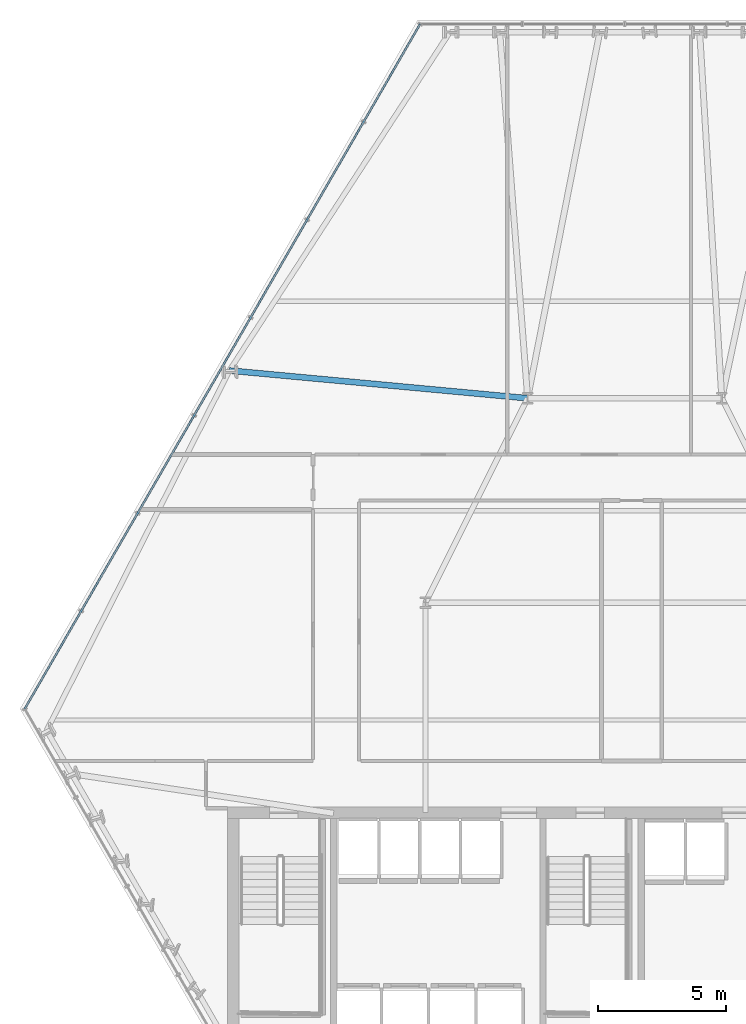
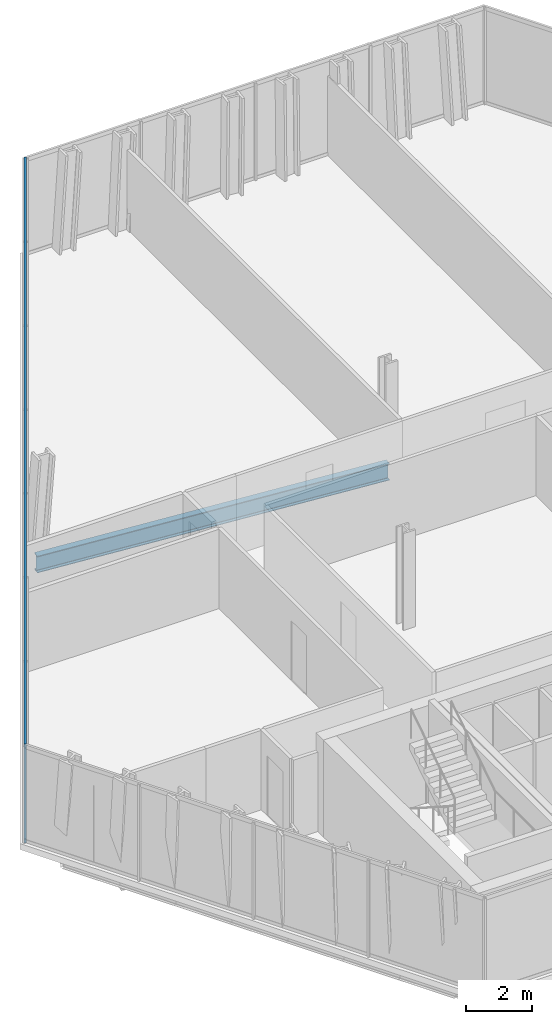
# One storey, part 11 of 32: 2 members, 1 beam, 1 element without a shape of its own.
"""IFC4 building model written with IfcOpenShell, lengths in metres."""

import ifcopenshell
import ifcopenshell.guid

model = None  # the IFC model being written
_history = None  # IfcOwnerHistory: only IFC2X3 demands one
_inside = {}  # id of a spatial element -> (the spatial element, [elements in it])
_under = {}  # id of a project, library or spatial element -> (it, [spatial elements below it])
_declared = {}  # id of a project -> (the project, [libraries it declares])
_typed = {}  # id of a type object -> (the type object, [elements of that type])
_made_of = {}  # id of a material, layer set ... -> (it, [elements and type objects made of it])


def new_model(schema):
    """Start an empty IFC model of exactly this schema.

    Asked for "IFC4X3", IfcOpenShell would pick the latest addendum, in which some entities
    have other attributes; the version numbers below select the first issue.
    IFC2X3 requires an IfcOwnerHistory on every rooted entity: one is made here for all.
    """
    global model, _history
    if schema == "IFC4X3":
        model = ifcopenshell.file(schema_version=(4, 3, 0, 0))
    else:
        model = ifcopenshell.file(schema=schema)
    _inside.clear()
    _under.clear()
    _declared.clear()
    _typed.clear()
    _made_of.clear()
    _history = None
    if model.schema == "IFC2X3":
        org = make("IfcOrganization", Name="unknown")
        user = make(
            "IfcPersonAndOrganization",
            ThePerson=make("IfcPerson", FamilyName="unknown"),
            TheOrganization=org,
        )
        app = make(
            "IfcApplication",
            ApplicationDeveloper=org,
            Version="unknown",
            ApplicationFullName="unknown",
            ApplicationIdentifier="unknown",
        )
        _history = make(
            "IfcOwnerHistory",
            OwningUser=user,
            OwningApplication=app,
            ChangeAction="ADDED",
            CreationDate=0,
        )
    return model


def make(cls, **values):
    """One entity of the class cls with the attributes given. An attribute that is None is left unset."""
    return model.create_entity(
        cls, **{name: value for name, value in values.items() if value is not None}
    )


def rooted(cls, **values):
    """An entity with a GlobalId (a new one), such as an element, a storey or a relation."""
    return make(cls, GlobalId=ifcopenshell.guid.new(), OwnerHistory=_history, **values)


def si_unit(unit_type, name, prefix=None):
    """IfcSIUnit, for example si_unit("LENGTHUNIT", "METRE", prefix="MILLI")."""
    return make("IfcSIUnit", UnitType=unit_type, Prefix=prefix, Name=name)


def assignment(units):
    """IfcUnitAssignment: the units of a project."""
    return None if units is None else make("IfcUnitAssignment", Units=units)


def point(xyz):
    """IfcCartesianPoint."""
    return None if xyz is None else make("IfcCartesianPoint", Coordinates=xyz)


def direction(xyz):
    """IfcDirection."""
    return None if xyz is None else make("IfcDirection", DirectionRatios=xyz)


def frame(location, z_axis=None, x_axis=None):
    """IfcAxis2Placement3D, a coordinate frame: its origin and axes. An axis left out is left unset."""
    return make(
        "IfcAxis2Placement3D",
        Location=point(location),
        Axis=direction(z_axis),
        RefDirection=direction(x_axis),
    )


def frame_2d(location, x_axis=None):
    """IfcAxis2Placement2D, a coordinate frame in the plane: its origin and x axis."""
    return make(
        "IfcAxis2Placement2D", Location=point(location), RefDirection=direction(x_axis)
    )


def origin():
    """The frame at (0, 0, 0) with its axes left unset."""
    return frame((0.0, 0.0, 0.0))


def origin_2d():
    """The frame at (0, 0) in the plane with its x axis left unset."""
    return frame_2d((0.0, 0.0))


def place(relative_to, where):
    """IfcLocalPlacement: puts the frame where relative to a parent placement (None: the world)."""
    return make(
        "IfcLocalPlacement", PlacementRelTo=relative_to, RelativePlacement=where
    )


def context(
    kind, dimensions, precision=None, world=None, true_north=None, identifier=None
):
    """IfcGeometricRepresentationContext, for example the 3D "Model" context."""
    return make(
        "IfcGeometricRepresentationContext",
        ContextIdentifier=identifier,
        ContextType=kind,
        CoordinateSpaceDimension=dimensions,
        Precision=precision,
        WorldCoordinateSystem=world,
        TrueNorth=true_north,
    )


def subcontext(parent, identifier, kind, view, scale=None):
    """IfcGeometricRepresentationSubContext, for example "Body" below "Model"."""
    return make(
        "IfcGeometricRepresentationSubContext",
        ContextIdentifier=identifier,
        ContextType=kind,
        ParentContext=parent,
        TargetScale=scale,
        TargetView=view,
    )


def project(units=None, contexts=None):
    """IfcProject with its units and contexts."""
    return rooted(
        "IfcProject",
        Name="project",
        RepresentationContexts=contexts,
        UnitsInContext=assignment(units),
    )


def spatial(cls, under=None, at=None, **own):
    """A site, building, storey or space (cls), placed at a placement, below another one or the project."""
    s = rooted(cls, ObjectPlacement=at, **own)
    if under is not None:
        _under.setdefault(under.id(), (under, []))[1].append(s)
    return s


def profile(cls, at=None, kind="AREA", **sizes):
    """A parametric profile (cls). Its sizes go by their IFC names, for example OverallWidth=200.0."""
    return make(cls, ProfileType=kind, Position=at, **sizes)


def hollow_rectangle(**sizes):
    """IfcRectangleHollowProfileDef."""
    return profile("IfcRectangleHollowProfileDef", **sizes)


def i_section(**sizes):
    """IfcIShapeProfileDef."""
    return profile("IfcIShapeProfileDef", **sizes)


def extrude(swept, where, along, depth):
    """IfcExtrudedAreaSolid: the profile swept, set in the frame where, extruded along a direction by depth."""
    return make(
        "IfcExtrudedAreaSolid",
        SweptArea=swept,
        Position=where,
        ExtrudedDirection=direction(along),
        Depth=depth,
    )


def shape(context_of_items, identifier, shape_type, items):
    """IfcShapeRepresentation: the items that make up one representation, for example the "Body"."""
    return make(
        "IfcShapeRepresentation",
        ContextOfItems=context_of_items,
        RepresentationIdentifier=identifier,
        RepresentationType=shape_type,
        Items=items,
    )


def material(Name=None, Category=None):
    """IfcMaterial."""
    return make("IfcMaterial", Name=Name, Category=Category)


def layer(
    of_material, thickness, ventilated=None, Name=None, Category=None, Priority=None
):
    """IfcMaterialLayer: one layer of a wall or slab, of a material (None: an air gap)."""
    return make(
        "IfcMaterialLayer",
        Material=of_material,
        LayerThickness=thickness,
        IsVentilated=ventilated,
        Name=Name,
        Category=Category,
        Priority=Priority,
    )


def layer_set(layers, Name=None):
    """IfcMaterialLayerSet."""
    return make("IfcMaterialLayerSet", MaterialLayers=layers, LayerSetName=Name)


def material_profile(
    of_material, cross_section, Name=None, Category=None, Priority=None
):
    """IfcMaterialProfile: a cross section and its material."""
    return make(
        "IfcMaterialProfile",
        Name=Name,
        Material=of_material,
        Profile=cross_section,
        Priority=Priority,
        Category=Category,
    )


def profile_set(profiles, Name=None, composite=None):
    """IfcMaterialProfileSet."""
    return make(
        "IfcMaterialProfileSet",
        Name=Name,
        MaterialProfiles=profiles,
        CompositeProfile=composite,
    )


def made_of(thing, what):
    """Note that an element or type object is made of a material, layer set ...; save() writes the relation."""
    if what is not None:
        _made_of.setdefault(what.id(), (what, []))[1].append(thing)
    return thing


def type_object(cls, material=None, **own):
    """A type object (cls), such as IfcWallType, which elements share."""
    return made_of(rooted(cls, **own), material)


def element(
    cls,
    number,
    at=None,
    inside=None,
    cuts=None,
    type_object=None,
    material=None,
    context=None,
    identifier="Body",
    shape_type=None,
    held_by="IfcProductDefinitionShape",
    body=None,
    shapes=None,
    **own,
):
    """One element of the class cls, such as IfcWall. Its Tag is "e" and its number.

    at: its placement. inside: the storey or other place that contains it. cuts: it is an
    opening in that element (IfcRelVoidsElement). A single representation is given by context,
    identifier, shape_type and body (its items); several are given by shapes. held_by: the class
    of the entity that holds the representations. save() writes the other relations.
    """
    e = rooted(cls, Tag="e%d" % number, ObjectPlacement=at, **own)
    if body is not None:
        shapes = [shape(context, identifier, shape_type, body)]
    if shapes is not None:
        e.Representation = make(held_by, Representations=shapes)
    if inside is not None:
        _inside.setdefault(inside.id(), (inside, []))[1].append(e)
    if cuts is not None:
        rooted(
            "IfcRelVoidsElement", RelatingBuildingElement=cuts, RelatedOpeningElement=e
        )
    if type_object is not None:
        _typed.setdefault(type_object.id(), (type_object, []))[1].append(e)
    return made_of(e, material)


def aggregate(whole, parts):
    """IfcRelAggregates: a whole, such as a stair, and the parts it consists of."""
    return rooted("IfcRelAggregates", RelatingObject=whole, RelatedObjects=parts)


def save(model, path):
    """Write the relations noted so far, then the file.

    IfcRelAggregates (storeys below a building ...), IfcRelContainedInSpatialStructure (elements
    in a storey), IfcRelDefinesByType, IfcRelAssociatesMaterial and IfcRelDeclares: one each for
    every whole, place, type object, material and project.
    """
    for whole, parts in _under.values():
        aggregate(whole, parts)
    for where, things in _inside.values():
        rooted(
            "IfcRelContainedInSpatialStructure",
            RelatedElements=things,
            RelatingStructure=where,
        )
    for kind, things in _typed.values():
        rooted("IfcRelDefinesByType", RelatedObjects=things, RelatingType=kind)
    for what, things in _made_of.values():
        rooted("IfcRelAssociatesMaterial", RelatedObjects=things, RelatingMaterial=what)
    for by, libraries in _declared.values():
        rooted("IfcRelDeclares", RelatingContext=by, RelatedDefinitions=libraries)
    model.write(path)


model = new_model("IFC4")

# Units and contexts
model_context = context("Model", 3, precision=1e-05, world=origin(), true_north=direction((0.0, 1.0)))
body_context = subcontext(model_context, "Body", "Model", "MODEL_VIEW")
ifc_project = project(units=[si_unit("LENGTHUNIT", "METRE"), si_unit("AREAUNIT", "SQUARE_METRE"), si_unit("VOLUMEUNIT", "CUBIC_METRE"), si_unit("PLANEANGLEUNIT", "RADIAN"), si_unit("MASSUNIT", "GRAM", prefix="KILO")], contexts=[model_context])

# Site, building, storey
site_placement = place(None, origin())
site = spatial("IfcSite", under=ifc_project, at=site_placement, CompositionType="ELEMENT")
building_placement = place(site_placement, origin())
building = spatial("IfcBuilding", under=site, at=building_placement, Name="Ndaravel Arena Tower", CompositionType="ELEMENT")
storey_placement = place(building_placement, frame((0.0, 0.0, 55.0)))
storey = spatial("IfcBuildingStorey", under=building, at=storey_placement, Name="L11", CompositionType="ELEMENT", Elevation=55.0)

# Beam
ifc_material_1 = material(Name="Steel S355", Category="steel")
ifc_material_profile_1 = material_profile(ifc_material_1, i_section(OverallWidth=0.230224609375, OverallDepth=0.6171875, WebThickness=0.01318359375, FlangeThickness=0.022216796875, FilletRadius=0.0126953125, at=origin_2d()), Name="UB 610x229x140")
ifc_profile_set_1 = profile_set([ifc_material_profile_1], Name="Steel S355")
beam_type = type_object("IfcBeamType", Name="BM-GIRD-UB610B", PredefinedType="BEAM", material=ifc_profile_set_1)
beam_placement = place(storey_placement, frame((26.523681640625, 32.285400390625, -0.528564453125), z_axis=(0.995706840407, -0.092562886556, 0.0), x_axis=(0.092562886556, 0.995706840407, 0.0)))
element("IfcBeam", 1, at=beam_placement, inside=storey, type_object=beam_type, Name="L11 Radial Floor Girder FG-19", PredefinedType="BEAM", context=body_context, shape_type="SweptSolid", body=[
    extrude(i_section(OverallWidth=0.230224609375, OverallDepth=0.6171875, WebThickness=0.01318359375, FlangeThickness=0.022216796875, FilletRadius=0.0126953125, at=origin_2d()), origin(), (0.0, 0.0, 1.0), 11.7265625),
])

# Curtain wall, members
ifc_material_2 = material(Name="Aluminium", Category="aluminium")
ifc_layer = layer(ifc_material_2, 0.179931640625)
ifc_layer_set = layer_set([ifc_layer], Name="Aluminium")
curtain_wall_type = type_object("IfcCurtainWallType", Name="CW-SYS-03", PredefinedType="NOTDEFINED", material=ifc_layer_set)
curtain_wall_placement = place(storey_placement, origin())
curtain_wall = element("IfcCurtainWall", 2, at=curtain_wall_placement, inside=storey, type_object=curtain_wall_type, Name="L11 Faceted Crystal Curtain Wall CW-L11-E05", PredefinedType="NOTDEFINED")
ifc_material_3 = material(Name="Aluminium", Category="aluminium")
ifc_material_profile_2 = material_profile(ifc_material_3, hollow_rectangle(XDim=0.074951171875, YDim=0.14990234375, WallThickness=0.00390625, at=origin_2d()), Name="CW TRANSOM 75x150x4")
ifc_profile_set_2 = profile_set([ifc_material_profile_2], Name="Aluminium")
member_type = type_object("IfcMemberType", Name="MEM-CW-TRN150", PredefinedType="USERDEFINED", material=ifc_profile_set_2)
member_1_placement = place(storey_placement, frame((33.98681640625, 45.851318359375, 0.0400390625), z_axis=(-0.500004826597, -0.866022617129, 0.0), x_axis=(0.866022617129, -0.500004826597, 0.0)))
member_1 = element("IfcMember", 3, at=member_1_placement, type_object=member_type, Name="CW-L11-E05 Transom 01", ObjectType="TRANSOM", PredefinedType="USERDEFINED", context=body_context, shape_type="SweptSolid", body=[
    extrude(hollow_rectangle(XDim=0.074951171875, YDim=0.14990234375, WallThickness=0.00390625, at=origin_2d()), origin(), (0.0, 0.0, 1.0), 30.959716796875),
])
member_2_placement = place(storey_placement, frame((33.98681640625, 45.851318359375, 3.5400390625), z_axis=(-0.500004826597, -0.866022617129, 0.0), x_axis=(0.866022617129, -0.500004826597, 0.0)))
member_2 = element("IfcMember", 4, at=member_2_placement, type_object=member_type, Name="CW-L11-E05 Transom 02", ObjectType="TRANSOM", PredefinedType="USERDEFINED", context=body_context, shape_type="SweptSolid", body=[
    extrude(hollow_rectangle(XDim=0.074951171875, YDim=0.14990234375, WallThickness=0.00390625, at=origin_2d()), origin(), (0.0, 0.0, 1.0), 30.959716796875),
])
aggregate(curtain_wall, [member_1, member_2])

save(model, "model.ifc")
